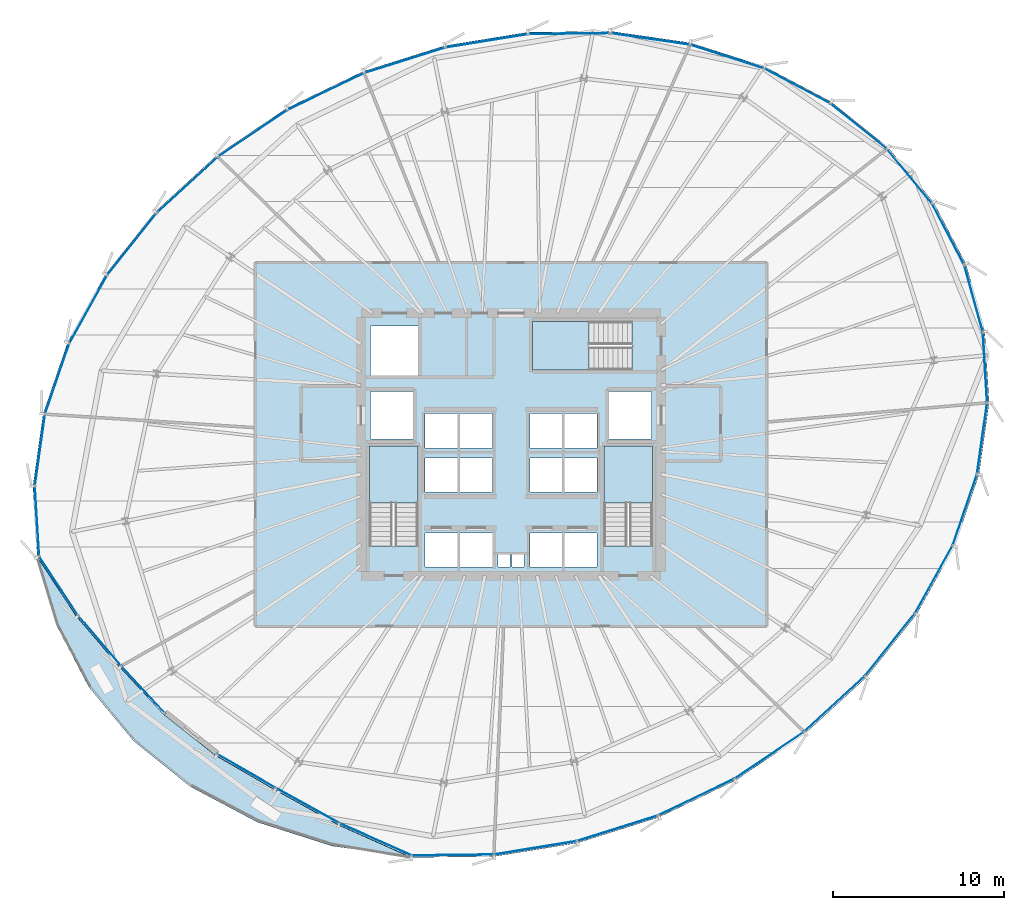
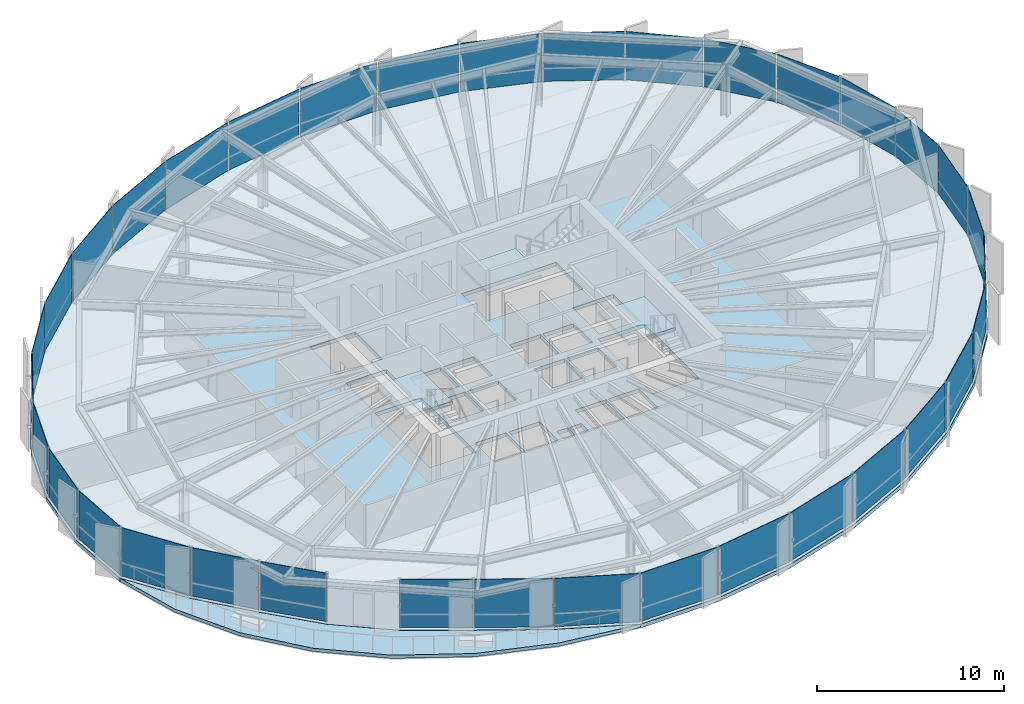
# One storey, part 28 of 35: 35 plates, 5 slabs, 10 elements without a shape of their own.
"""IFC4 building model written with IfcOpenShell, lengths in metres."""

from ifc_helpers import new_model, si_unit, direction, frame, origin, origin_2d, place, context, subcontext, project, spatial, polyline, rectangle, outline, extrude, source, transform, mapped, material, layer, layer_set, type_object, element, aggregate, save


model = new_model("IFC4")

# Units and contexts
model_context = context("Model", 3, precision=1e-05, world=origin(), true_north=direction((0.0, 1.0)))
body_context = subcontext(model_context, "Body", "Model", "MODEL_VIEW")
ifc_project = project(units=[si_unit("LENGTHUNIT", "METRE"), si_unit("AREAUNIT", "SQUARE_METRE"), si_unit("VOLUMEUNIT", "CUBIC_METRE"), si_unit("PLANEANGLEUNIT", "RADIAN"), si_unit("MASSUNIT", "GRAM", prefix="KILO"), si_unit("THERMODYNAMICTEMPERATUREUNIT", "KELVIN")], contexts=[model_context])

# Site, building, storey
site_placement = place(None, origin())
site = spatial("IfcSite", under=ifc_project, at=site_placement, CompositionType="ELEMENT")
building_placement = place(site_placement, origin())
building = spatial("IfcBuilding", under=site, at=building_placement, Name="Kethvar Cultural Tower", CompositionType="ELEMENT")
storey_placement = place(building_placement, frame((0.0, 0.0, 121.60009765625)))
storey = spatial("IfcBuildingStorey", under=building, at=storey_placement, Name="L30", CompositionType="ELEMENT", Elevation=121.60009765625)

# Stair, slab
ifc_material_1 = material(Name="Concrete C40/50", Category="concrete")
stair_type = type_object("IfcStairType", Name="ST-DOGLEG-135", PredefinedType="HALF_TURN_STAIR", material=ifc_material_1)
stair_1_placement = place(storey_placement, origin())
stair_1 = element("IfcStair", 1, at=stair_1_placement, inside=storey, type_object=stair_type, Name="L30 Core Exit Stair 1", PredefinedType="HALF_TURN_STAIR")
ifc_layer_1 = layer(ifc_material_1, 0.199951171875, Name="Concrete C40/50", Category="concrete")
ifc_layer_set_1 = layer_set([ifc_layer_1], Name="Concrete C40/50 (200 mm)")
slab_type_1 = type_object("IfcSlabType", Name="SL-STAIR-LANDING-200", PredefinedType="LANDING", material=ifc_layer_set_1)
slab_1_placement = place(storey_placement, frame((0.0, 0.0, 1.599853515625)))
slab_1 = element("IfcSlab", 2, at=slab_1_placement, type_object=slab_type_1, Name="ST-01 landing 1", PredefinedType="LANDING", context=body_context, shape_type="SweptSolid", body=[
    extrude(outline(polyline([(41.35009765625, 24.3701171875), (41.35009765625, 27.699951171875), (38.489990234375, 27.699951171875), (38.489990234375, 24.3701171875), (41.35009765625, 24.3701171875)])), origin(), (0.0, 0.0, 1.0), 0.199951171875),
])
aggregate(stair_1, [slab_1])

stair_2_placement = place(storey_placement, origin())
stair_2 = element("IfcStair", 3, at=stair_2_placement, inside=storey, type_object=stair_type, Name="L30 Core Exit Stair 2", PredefinedType="HALF_TURN_STAIR")
slab_2_placement = place(storey_placement, frame((0.0, 0.0, 1.599853515625)))
slab_2 = element("IfcSlab", 4, at=slab_2_placement, type_object=slab_type_1, Name="ST-02 landing 1", PredefinedType="LANDING", context=body_context, shape_type="SweptSolid", body=[
    extrude(outline(polyline([(55.110107421875, 24.3701171875), (55.110107421875, 27.699951171875), (52.25, 27.699951171875), (52.25, 24.3701171875), (55.110107421875, 24.3701171875)])), origin(), (0.0, 0.0, 1.0), 0.199951171875),
])
aggregate(stair_2, [slab_2])

stair_3_placement = place(storey_placement, origin())
stair_3 = element("IfcStair", 5, at=stair_3_placement, inside=storey, type_object=stair_type, Name="L30 Core Exit Stair 3", PredefinedType="HALF_TURN_STAIR")
slab_3_placement = place(storey_placement, frame((0.0, 0.0, 1.599853515625)))
slab_3 = element("IfcSlab", 6, at=slab_3_placement, type_object=slab_type_1, Name="ST-03 landing 1", PredefinedType="LANDING", context=body_context, shape_type="SweptSolid", body=[
    extrude(outline(polyline([(51.3798828125, 35.010009765625), (48.050048828125, 35.010009765625), (48.050048828125, 32.14990234375), (51.3798828125, 32.14990234375), (51.3798828125, 35.010009765625)])), origin(), (0.0, 0.0, 1.0), 0.199951171875),
])
aggregate(stair_3, [slab_3])

# Slabs
ifc_layer_2 = layer(ifc_material_1, 0.215087890625, Name="Concrete C40/50", Category="concrete")
ifc_layer_set_2 = layer_set([ifc_layer_2], Name="Concrete C40/50 (215 mm)")
slab_type_2 = type_object("IfcSlabType", Name="SL-TER-EXT", PredefinedType="FLOOR", material=ifc_layer_set_2)
slab_4_placement = place(storey_placement, frame((0.0, 0.0, -0.215087890625)))
element("IfcSlab", 7, at=slab_4_placement, inside=storey, type_object=slab_type_2, Name="L30 Spiralling Sky Terrace Deck", PredefinedType="FLOOR", context=body_context, shape_type="SweptSolid", body=[
    extrude(outline(polyline([(19.01171875, 21.192626953125), (20.110595703125, 17.23291015625), (22.020263671875, 13.593994140625), (24.682861328125, 10.386962890625), (28.017578125, 7.708984375), (31.9228515625, 5.641357421875), (36.2802734375, 4.2470703125), (40.957275390625, 3.568359375), (36.688232421875, 5.473388671875), (32.951171875, 7.543212890625), (29.477294921875, 9.550537109375), (26.440185546875, 11.947265625), (23.86181640625, 14.72705078125), (21.312255859375, 17.708740234375), (19.01171875, 21.192626953125)])), origin(), (0.0, 0.0, 1.0), 0.215087890625),
])
ifc_layer_3 = layer(ifc_material_1, 0.25, Name="Concrete C40/50", Category="concrete")
ifc_layer_set_3 = layer_set([ifc_layer_3], Name="Concrete C40/50 (250 mm)")
slab_type_3 = type_object("IfcSlabType", Name="SL-TOW-250", PredefinedType="FLOOR", material=ifc_layer_set_3)
slab_5_placement = place(storey_placement, frame((0.0, 0.0, -0.25)))
element("IfcSlab", 8, at=slab_5_placement, inside=storey, type_object=slab_type_3, Name="L30 Structural Floor Slab", PredefinedType="FLOOR", context=body_context, shape_type="SweptSolid", body=[
    extrude(outline(polyline([(73.489501953125, 38.3671875), (71.57958984375, 42.005859375), (68.9169921875, 45.212890625), (65.58251953125, 47.89111328125), (61.677001953125, 49.958740234375), (57.319580078125, 51.35302734375), (52.642578125, 52.031494140625), (47.7880859375, 51.97412109375), (42.903564453125, 51.181884765625), (38.137451171875, 49.679443359375), (33.634521484375, 47.511962890625), (29.531494140625, 44.74560546875), (25.953125, 41.464599609375), (23.00830078125, 37.768310546875), (20.786376953125, 33.768798828125), (19.35498046875, 29.58837890625), (18.75732421875, 25.353271484375), (19.01171875, 21.192626953125), (21.312255859375, 17.708740234375), (23.86181640625, 14.72705078125), (26.440185546875, 11.947265625), (29.477294921875, 9.550537109375), (32.951171875, 7.543212890625), (36.688232421875, 5.473388671875), (40.957275390625, 3.568359375), (45.81201171875, 3.6259765625), (50.696533203125, 4.418212890625), (55.462646484375, 5.920654296875), (59.965576171875, 8.087890625), (64.068603515625, 10.854248046875), (67.646728515625, 14.135498046875), (70.591552734375, 17.831787109375), (72.813720703125, 21.8310546875), (74.2451171875, 26.01171875), (74.8427734375, 30.24658203125), (74.58837890625, 34.4072265625), (73.489501953125, 38.3671875)]), holes=[polyline([(38.489990234375, 21.85009765625), (38.489990234375, 27.699951171875), (41.35009765625, 27.699951171875), (41.35009765625, 21.85009765625), (38.489990234375, 21.85009765625)]), polyline([(52.25, 21.85009765625), (52.25, 27.699951171875), (55.110107421875, 27.699951171875), (55.110107421875, 21.85009765625), (52.25, 21.85009765625)]), polyline([(53.89990234375, 32.14990234375), (48.050048828125, 32.14990234375), (48.050048828125, 35.010009765625), (53.89990234375, 35.010009765625), (53.89990234375, 32.14990234375)]), polyline([(41.75, 22.60009765625), (43.64990234375, 22.60009765625), (43.64990234375, 20.60009765625), (41.75, 20.60009765625), (41.75, 22.60009765625)]), polyline([(43.800048828125, 22.60009765625), (45.699951171875, 22.60009765625), (45.699951171875, 20.60009765625), (43.800048828125, 20.60009765625), (43.800048828125, 22.60009765625)]), polyline([(47.89990234375, 22.60009765625), (49.800048828125, 22.60009765625), (49.800048828125, 20.60009765625), (47.89990234375, 20.60009765625), (47.89990234375, 22.60009765625)]), polyline([(49.949951171875, 22.60009765625), (51.85009765625, 22.60009765625), (51.85009765625, 20.60009765625), (49.949951171875, 20.60009765625), (49.949951171875, 22.60009765625)]), polyline([(41.75, 27.0), (43.64990234375, 27.0), (43.64990234375, 25.0), (41.75, 25.0), (41.75, 27.0)]), polyline([(43.800048828125, 27.0), (45.699951171875, 27.0), (45.699951171875, 25.0), (43.800048828125, 25.0), (43.800048828125, 27.0)]), polyline([(47.89990234375, 27.0), (49.800048828125, 27.0), (49.800048828125, 25.0), (47.89990234375, 25.0), (47.89990234375, 27.0)]), polyline([(49.949951171875, 27.0), (51.85009765625, 27.0), (51.85009765625, 25.0), (49.949951171875, 25.0), (49.949951171875, 27.0)]), polyline([(41.75, 29.60009765625), (43.64990234375, 29.60009765625), (43.64990234375, 27.60009765625), (41.75, 27.60009765625), (41.75, 29.60009765625)]), polyline([(43.800048828125, 29.60009765625), (45.699951171875, 29.60009765625), (45.699951171875, 27.60009765625), (43.800048828125, 27.60009765625), (43.800048828125, 29.60009765625)]), polyline([(47.89990234375, 29.60009765625), (49.800048828125, 29.60009765625), (49.800048828125, 27.60009765625), (47.89990234375, 27.60009765625), (47.89990234375, 29.60009765625)]), polyline([(49.949951171875, 29.60009765625), (51.85009765625, 29.60009765625), (51.85009765625, 27.60009765625), (49.949951171875, 27.60009765625), (49.949951171875, 29.60009765625)]), polyline([(38.550048828125, 30.89990234375), (41.050048828125, 30.89990234375), (41.050048828125, 28.10009765625), (38.550048828125, 28.10009765625), (38.550048828125, 30.89990234375)]), polyline([(52.550048828125, 30.89990234375), (55.050048828125, 30.89990234375), (55.050048828125, 28.10009765625), (52.550048828125, 28.10009765625), (52.550048828125, 30.89990234375)]), polyline([(38.550048828125, 34.75), (41.35009765625, 34.75), (41.35009765625, 31.85009765625), (38.550048828125, 31.85009765625), (38.550048828125, 34.75)]), polyline([(46.050048828125, 21.35009765625), (46.75, 21.35009765625), (46.75, 20.60009765625), (46.050048828125, 20.60009765625), (46.050048828125, 21.35009765625)]), polyline([(46.85009765625, 21.35009765625), (47.550048828125, 21.35009765625), (47.550048828125, 20.60009765625), (46.85009765625, 20.60009765625), (46.85009765625, 21.35009765625)])]), origin(), (0.0, 0.0, 1.0), 0.25),
])

# Curtain wall, plates
ifc_material_2 = material(Name="Aluminium 6063-T6", Category="aluminium")
ifc_layer_4 = layer(ifc_material_2, 0.179931640625, Name="Aluminium 6063-T6", Category="aluminium")
ifc_layer_set_4 = layer_set([ifc_layer_4], Name="Aluminium 6063-T6 (180 mm)")
curtain_wall_type = type_object("IfcCurtainWallType", Name="CW-SYS-03-Z2", PredefinedType="NOTDEFINED", material=ifc_layer_set_4)
curtain_wall_1_placement = place(storey_placement, origin())
curtain_wall_1 = element("IfcCurtainWall", 9, at=curtain_wall_1_placement, inside=storey, type_object=curtain_wall_type, Name="L30 Curtain Wall Run 01", PredefinedType="NOTDEFINED")
ifc_material_3 = material(Name="Insulated Low-E Solar Glass", Category="glass")
ifc_layer_5 = layer(ifc_material_3, 0.031982421875, Name="Insulated Low-E Solar Glass", Category="glass")
ifc_layer_set_5 = layer_set([ifc_layer_5], Name="Insulated Low-E Solar Glass (32 mm)")
plate_type = type_object("IfcPlateType", Name="CW-SYS-03-Z2-PNL", PredefinedType="CURTAIN_PANEL", material=ifc_layer_set_5)
shared_shape_1 = source(origin(), body_context, "Body", "SweptSolid", [
    extrude(rectangle(XDim=4.023193359375, YDim=0.031982421875, at=origin_2d()), origin(), (0.0, 0.0, 1.0), 3.14990234375),
])
plate_1_placement = place(storey_placement, frame((72.4326171875, 40.133056640625, 0.099853515625), z_axis=(0.0, 0.0, 1.0), x_axis=(-0.464718416922, 0.885458521317, 0.0)))
plate_1 = element("IfcPlate", 10, at=plate_1_placement, type_object=plate_type, Name="CW-L30-R01 Vision Glazing Panel 1", PredefinedType="CURTAIN_PANEL", context=body_context, shape_type="MappedRepresentation", body=[
    mapped(shared_shape_1, transform((0.0, 0.0, 0.0), scale=1.0)),
])
shared_shape_2 = source(origin(), body_context, "Body", "SweptSolid", [
    extrude(rectangle(XDim=4.081787109375, YDim=0.031982421875, at=origin_2d()), origin(), (0.0, 0.0, 1.0), 3.14990234375),
])
plate_2_placement = place(storey_placement, frame((70.159912109375, 43.535888671875, 0.099853515625), z_axis=(0.0, 0.0, 1.0), x_axis=(-0.638767817516, 0.769399555047, 0.0)))
plate_2 = element("IfcPlate", 11, at=plate_2_placement, type_object=plate_type, Name="CW-L30-R01 Vision Glazing Panel 2", PredefinedType="CURTAIN_PANEL", context=body_context, shape_type="MappedRepresentation", body=[
    mapped(shared_shape_2, transform((0.0, 0.0, 0.0), scale=1.0)),
])
shared_shape_3 = source(origin(), body_context, "Body", "SweptSolid", [
    extrude(rectangle(XDim=4.1904296875, YDim=0.031982421875, at=origin_2d()), origin(), (0.0, 0.0, 1.0), 3.14990234375),
])
plate_3_placement = place(storey_placement, frame((67.177734375, 46.46240234375, 0.099853515625), z_axis=(0.0, 0.0, 1.0), x_axis=(-0.779687804952, 0.626168449228, 0.0)))
plate_3 = element("IfcPlate", 12, at=plate_3_placement, type_object=plate_type, Name="CW-L30-R01 Vision Glazing Panel 3", PredefinedType="CURTAIN_PANEL", context=body_context, shape_type="MappedRepresentation", body=[
    mapped(shared_shape_3, transform((0.0, 0.0, 0.0), scale=1.0)),
])
shared_shape_4 = source(origin(), body_context, "Body", "SweptSolid", [
    extrude(rectangle(XDim=4.33251953125, YDim=0.031982421875, at=origin_2d()), origin(), (0.0, 0.0, 1.0), 3.14990234375),
])
plate_4_placement = place(storey_placement, frame((63.575927734375, 48.8232421875, 0.099853515625), z_axis=(0.0, 0.0, 1.0), x_axis=(-0.883781963382, 0.467898964735, 0.0)))
plate_4 = element("IfcPlate", 13, at=plate_4_placement, type_object=plate_type, Name="CW-L30-R01 Vision Glazing Panel 4", PredefinedType="CURTAIN_PANEL", context=body_context, shape_type="MappedRepresentation", body=[
    mapped(shared_shape_4, transform((0.0, 0.0, 0.0), scale=1.0)),
])

# Curtain wall, plate
curtain_wall_2_placement = place(storey_placement, origin())
curtain_wall_2 = element("IfcCurtainWall", 14, at=curtain_wall_2_placement, inside=storey, type_object=curtain_wall_type, Name="L30 Curtain Wall Run 03", PredefinedType="NOTDEFINED")
plate_5_placement = place(storey_placement, frame((20.179443359375, 31.641357421875, 0.099853515625), z_axis=(0.0, 0.0, 1.0), x_axis=(-0.32395044261, -0.9460740514, 0.0)))
plate_5 = element("IfcPlate", 15, at=plate_5_placement, type_object=plate_type, Name="CW-L30-R03 Vision Glazing Panel 3", PredefinedType="CURTAIN_PANEL", context=body_context, shape_type="MappedRepresentation", body=[
    mapped(shared_shape_4, transform((0.0, 0.0, 0.0), scale=1.0)),
])

curtain_wall_3_placement = place(storey_placement, origin())
curtain_wall_3 = element("IfcCurtainWall", 16, at=curtain_wall_3_placement, inside=storey, type_object=curtain_wall_type, Name="L30 Curtain Wall Run 06", PredefinedType="NOTDEFINED")
plate_6_placement = place(storey_placement, frame((73.42041015625, 23.95849609375, 0.099853515625), z_axis=(0.0, 0.0, 1.0), x_axis=(0.32395044261, 0.9460740514, 0.0)))
plate_6 = element("IfcPlate", 17, at=plate_6_placement, type_object=plate_type, Name="CW-L30-R06 Vision Glazing Panel 6", PredefinedType="CURTAIN_PANEL", context=body_context, shape_type="MappedRepresentation", body=[
    mapped(shared_shape_4, transform((0.0, 0.0, 0.0), scale=1.0)),
])

# Plate
shared_shape_5 = source(origin(), body_context, "Body", "SweptSolid", [
    extrude(rectangle(XDim=4.488525390625, YDim=0.031982421875, at=origin_2d()), origin(), (0.0, 0.0, 1.0), 3.14990234375),
])
plate_7_placement = place(storey_placement, frame((59.46337890625, 50.54638671875, 0.099853515625), z_axis=(0.0, 0.0, 1.0), x_axis=(-0.952427719736, 0.304764562702, 0.0)))
plate_7 = element("IfcPlate", 18, at=plate_7_placement, type_object=plate_type, Name="CW-L30-R01 Vision Glazing Panel 5", PredefinedType="CURTAIN_PANEL", context=body_context, shape_type="MappedRepresentation", body=[
    mapped(shared_shape_5, transform((0.0, 0.0, 0.0), scale=1.0)),
])

shared_shape_6 = source(origin(), body_context, "Body", "SweptSolid", [
    extrude(rectangle(XDim=4.6396484375, YDim=0.031982421875, at=origin_2d()), origin(), (0.0, 0.0, 1.0), 3.14990234375),
])
plate_8_placement = place(storey_placement, frame((54.964599609375, 51.57861328125, 0.099853515625), z_axis=(0.0, 0.0, 1.0), x_axis=(-0.989636354881, 0.143596257255, 0.0)))
plate_8 = element("IfcPlate", 19, at=plate_8_placement, type_object=plate_type, Name="CW-L30-R01 Vision Glazing Panel 6", PredefinedType="CURTAIN_PANEL", context=body_context, shape_type="MappedRepresentation", body=[
    mapped(shared_shape_6, transform((0.0, 0.0, 0.0), scale=1.0)),
])

aggregate(curtain_wall_1, [plate_1, plate_2, plate_3, plate_4, plate_7, plate_8])

plate_9_placement = place(storey_placement, frame((24.57080078125, 39.544677734375, 0.099853515625), z_axis=(0.0, 0.0, 1.0), x_axis=(-0.623115452938, -0.78212986921, 0.0)))
plate_9 = element("IfcPlate", 20, at=plate_9_placement, type_object=plate_type, Name="CW-L30-R03 Vision Glazing Panel 1", PredefinedType="CURTAIN_PANEL", context=body_context, shape_type="MappedRepresentation", body=[
    mapped(shared_shape_6, transform((0.0, 0.0, 0.0), scale=1.0)),
])

plate_10_placement = place(storey_placement, frame((69.029296875, 16.055419921875, 0.099853515625), z_axis=(0.0, 0.0, 1.0), x_axis=(0.623115452938, 0.78212986921, 0.0)))
plate_10 = element("IfcPlate", 21, at=plate_10_placement, type_object=plate_type, Name="CW-L30-R06 Vision Glazing Panel 4", PredefinedType="CURTAIN_PANEL", context=body_context, shape_type="MappedRepresentation", body=[
    mapped(shared_shape_6, transform((0.0, 0.0, 0.0), scale=1.0)),
])

# Curtain wall, plates
curtain_wall_4_placement = place(storey_placement, origin())
curtain_wall_4 = element("IfcCurtainWall", 22, at=curtain_wall_4_placement, inside=storey, type_object=curtain_wall_type, Name="L30 Curtain Wall Run 02", PredefinedType="NOTDEFINED")
shared_shape_7 = source(origin(), body_context, "Body", "SweptSolid", [
    extrude(rectangle(XDim=4.7685546875, YDim=0.031982421875, at=origin_2d()), origin(), (0.0, 0.0, 1.0), 3.14990234375),
])
plate_11_placement = place(storey_placement, frame((50.216796875, 51.8876953125, 0.099853515625), z_axis=(0.0, 0.0, 1.0), x_axis=(-0.999929573279, -0.011867960299, 0.0)))
plate_11 = element("IfcPlate", 23, at=plate_11_placement, type_object=plate_type, Name="CW-L30-R02 Vision Glazing Panel 1", PredefinedType="CURTAIN_PANEL", context=body_context, shape_type="MappedRepresentation", body=[
    mapped(shared_shape_7, transform((0.0, 0.0, 0.0), scale=1.0)),
])
plate_12_placement = place(storey_placement, frame((27.820068359375, 43.020263671875, 0.099853515625), z_axis=(0.0, 0.0, 1.0), x_axis=(-0.73702967055, -0.675860388489, 0.0)))
plate_12 = element("IfcPlate", 24, at=plate_12_placement, type_object=plate_type, Name="CW-L30-R02 Vision Glazing Panel 6", PredefinedType="CURTAIN_PANEL", context=body_context, shape_type="MappedRepresentation", body=[
    mapped(shared_shape_7, transform((0.0, 0.0, 0.0), scale=1.0)),
])

# Curtain wall, plate
curtain_wall_5_placement = place(storey_placement, origin())
curtain_wall_5 = element("IfcCurtainWall", 25, at=curtain_wall_5_placement, inside=storey, type_object=curtain_wall_type, Name="L30 Curtain Wall Run 05", PredefinedType="NOTDEFINED")
plate_13_placement = place(storey_placement, frame((43.38330078125, 3.712158203125, 0.099853515625), z_axis=(0.0, 0.0, 1.0), x_axis=(0.999929573279, 0.011867960299, 0.0)))
plate_13 = element("IfcPlate", 26, at=plate_13_placement, type_object=plate_type, Name="CW-L30-R05 Vision Glazing Panel 4", PredefinedType="CURTAIN_PANEL", context=body_context, shape_type="MappedRepresentation", body=[
    mapped(shared_shape_7, transform((0.0, 0.0, 0.0), scale=1.0)),
])

# Plate
plate_14_placement = place(storey_placement, frame((65.77978515625, 12.57958984375, 0.099853515625), z_axis=(0.0, 0.0, 1.0), x_axis=(0.73702967055, 0.675860388489, 0.0)))
plate_14 = element("IfcPlate", 27, at=plate_14_placement, type_object=plate_type, Name="CW-L30-R06 Vision Glazing Panel 3", PredefinedType="CURTAIN_PANEL", context=body_context, shape_type="MappedRepresentation", body=[
    mapped(shared_shape_7, transform((0.0, 0.0, 0.0), scale=1.0)),
])

shared_shape_8 = source(origin(), body_context, "Body", "SweptSolid", [
    extrude(rectangle(XDim=4.862060546875, YDim=0.031982421875, at=origin_2d()), origin(), (0.0, 0.0, 1.0), 3.14990234375),
])
plate_15_placement = place(storey_placement, frame((45.3642578125, 51.46435546875, 0.099853515625), z_axis=(0.0, 0.0, 1.0), x_axis=(-0.987105551896, -0.160070701302, 0.0)))
plate_15 = element("IfcPlate", 28, at=plate_15_placement, type_object=plate_type, Name="CW-L30-R02 Vision Glazing Panel 2", PredefinedType="CURTAIN_PANEL", context=body_context, shape_type="MappedRepresentation", body=[
    mapped(shared_shape_8, transform((0.0, 0.0, 0.0), scale=1.0)),
])

plate_16_placement = place(storey_placement, frame((31.647216796875, 46.033447265625, 0.099853515625), z_axis=(0.0, 0.0, 1.0), x_axis=(-0.829154671459, -0.559019257984, 0.0)))
plate_16 = element("IfcPlate", 29, at=plate_16_placement, type_object=plate_type, Name="CW-L30-R02 Vision Glazing Panel 5", PredefinedType="CURTAIN_PANEL", context=body_context, shape_type="MappedRepresentation", body=[
    mapped(shared_shape_8, transform((0.0, 0.0, 0.0), scale=1.0)),
])

plate_17_placement = place(storey_placement, frame((48.235595703125, 4.135498046875, 0.099853515625), z_axis=(0.0, 0.0, 1.0), x_axis=(0.987105551896, 0.160070701302, 0.0)))
plate_17 = element("IfcPlate", 30, at=plate_17_placement, type_object=plate_type, Name="CW-L30-R05 Vision Glazing Panel 5", PredefinedType="CURTAIN_PANEL", context=body_context, shape_type="MappedRepresentation", body=[
    mapped(shared_shape_8, transform((0.0, 0.0, 0.0), scale=1.0)),
])

plate_18_placement = place(storey_placement, frame((61.952880859375, 9.56640625, 0.099853515625), z_axis=(0.0, 0.0, 1.0), x_axis=(0.829154671459, 0.559019257984, 0.0)))
plate_18 = element("IfcPlate", 31, at=plate_18_placement, type_object=plate_type, Name="CW-L30-R06 Vision Glazing Panel 2", PredefinedType="CURTAIN_PANEL", context=body_context, shape_type="MappedRepresentation", body=[
    mapped(shared_shape_8, transform((0.0, 0.0, 0.0), scale=1.0)),
])

shared_shape_9 = source(origin(), body_context, "Body", "SweptSolid", [
    extrude(rectangle(XDim=4.910888671875, YDim=0.031982421875, at=origin_2d()), origin(), (0.0, 0.0, 1.0), 3.14990234375),
])
plate_19_placement = place(storey_placement, frame((40.55517578125, 50.32080078125, 0.099853515625), z_axis=(0.0, 0.0, 1.0), x_axis=(-0.95373269436, -0.300655862589, 0.0)))
plate_19 = element("IfcPlate", 32, at=plate_19_placement, type_object=plate_type, Name="CW-L30-R02 Vision Glazing Panel 3", PredefinedType="CURTAIN_PANEL", context=body_context, shape_type="MappedRepresentation", body=[
    mapped(shared_shape_9, transform((0.0, 0.0, 0.0), scale=1.0)),
])

plate_20_placement = place(storey_placement, frame((35.935791015625, 48.4921875, 0.099853515625), z_axis=(0.0, 0.0, 1.0), x_axis=(-0.90105431375, -0.433706264276, 0.0)))
plate_20 = element("IfcPlate", 33, at=plate_20_placement, type_object=plate_type, Name="CW-L30-R02 Vision Glazing Panel 4", PredefinedType="CURTAIN_PANEL", context=body_context, shape_type="MappedRepresentation", body=[
    mapped(shared_shape_9, transform((0.0, 0.0, 0.0), scale=1.0)),
])

aggregate(curtain_wall_4, [plate_11, plate_15, plate_19, plate_20, plate_16, plate_12])

plate_21_placement = place(storey_placement, frame((53.044921875, 5.279052734375, 0.099853515625), z_axis=(0.0, 0.0, 1.0), x_axis=(0.95373269436, 0.300655862589, 0.0)))
plate_21 = element("IfcPlate", 34, at=plate_21_placement, type_object=plate_type, Name="CW-L30-R05 Vision Glazing Panel 6", PredefinedType="CURTAIN_PANEL", context=body_context, shape_type="MappedRepresentation", body=[
    mapped(shared_shape_9, transform((0.0, 0.0, 0.0), scale=1.0)),
])

plate_22_placement = place(storey_placement, frame((57.664306640625, 7.10791015625, 0.099853515625), z_axis=(0.0, 0.0, 1.0), x_axis=(0.90105431375, 0.433706264276, 0.0)))
plate_22 = element("IfcPlate", 35, at=plate_22_placement, type_object=plate_type, Name="CW-L30-R06 Vision Glazing Panel 1", PredefinedType="CURTAIN_PANEL", context=body_context, shape_type="MappedRepresentation", body=[
    mapped(shared_shape_9, transform((0.0, 0.0, 0.0), scale=1.0)),
])

shared_shape_10 = source(origin(), body_context, "Body", "SweptSolid", [
    extrude(rectangle(XDim=4.48876953125, YDim=0.031982421875, at=origin_2d()), origin(), (0.0, 0.0, 1.0), 3.14990234375),
])
plate_23_placement = place(storey_placement, frame((21.997802734375, 35.712646484375, 0.099853515625), z_axis=(0.0, 0.0, 1.0), x_axis=(-0.485664228187, -0.874145444111, 0.0)))
plate_23 = element("IfcPlate", 36, at=plate_23_placement, type_object=plate_type, Name="CW-L30-R03 Vision Glazing Panel 2", PredefinedType="CURTAIN_PANEL", context=body_context, shape_type="MappedRepresentation", body=[
    mapped(shared_shape_10, transform((0.0, 0.0, 0.0), scale=1.0)),
])

plate_24_placement = place(storey_placement, frame((71.60205078125, 19.88720703125, 0.099853515625), z_axis=(0.0, 0.0, 1.0), x_axis=(0.485664228187, 0.874145444111, 0.0)))
plate_24 = element("IfcPlate", 37, at=plate_24_placement, type_object=plate_type, Name="CW-L30-R06 Vision Glazing Panel 5", PredefinedType="CURTAIN_PANEL", context=body_context, shape_type="MappedRepresentation", body=[
    mapped(shared_shape_10, transform((0.0, 0.0, 0.0), scale=1.0)),
])

aggregate(curtain_wall_3, [plate_22, plate_18, plate_14, plate_10, plate_24, plate_6])

shared_shape_11 = source(origin(), body_context, "Body", "SweptSolid", [
    extrude(rectangle(XDim=4.190673828125, YDim=0.031982421875, at=origin_2d()), origin(), (0.0, 0.0, 1.0), 3.14990234375),
])
plate_25_placement = place(storey_placement, frame((19.169921875, 27.45458984375, 0.099853515625), z_axis=(0.0, 0.0, 1.0), x_axis=(-0.13972614925, -0.990190185376, 0.0)))
plate_25 = element("IfcPlate", 38, at=plate_25_placement, type_object=plate_type, Name="CW-L30-R03 Vision Glazing Panel 4", PredefinedType="CURTAIN_PANEL", context=body_context, shape_type="MappedRepresentation", body=[
    mapped(shared_shape_11, transform((0.0, 0.0, 0.0), scale=1.0)),
])

# Curtain wall, plate
curtain_wall_6_placement = place(storey_placement, origin())
curtain_wall_6 = element("IfcCurtainWall", 39, at=curtain_wall_6_placement, inside=storey, type_object=curtain_wall_type, Name="L30 Curtain Wall Run 07", PredefinedType="NOTDEFINED")
plate_26_placement = place(storey_placement, frame((74.429931640625, 28.145263671875, 0.099853515625), z_axis=(0.0, 0.0, 1.0), x_axis=(0.13972614925, 0.990190185376, 0.0)))
plate_26 = element("IfcPlate", 40, at=plate_26_placement, type_object=plate_type, Name="CW-L30-R07 Vision Glazing Panel 1", PredefinedType="CURTAIN_PANEL", context=body_context, shape_type="MappedRepresentation", body=[
    mapped(shared_shape_11, transform((0.0, 0.0, 0.0), scale=1.0)),
])

# Plate
shared_shape_12 = source(origin(), body_context, "Body", "SweptSolid", [
    extrude(rectangle(XDim=4.08203125, YDim=0.031982421875, at=origin_2d()), origin(), (0.0, 0.0, 1.0), 3.14990234375),
])
plate_27_placement = place(storey_placement, frame((18.999267578125, 23.280029296875, 0.099853515625), z_axis=(0.0, 0.0, 1.0), x_axis=(0.061031118787, -0.998135863768, 0.0)))
plate_27 = element("IfcPlate", 41, at=plate_27_placement, type_object=plate_type, Name="CW-L30-R03 Vision Glazing Panel 5", PredefinedType="CURTAIN_PANEL", context=body_context, shape_type="MappedRepresentation", body=[
    mapped(shared_shape_12, transform((0.0, 0.0, 0.0), scale=1.0)),
])

plate_28_placement = place(storey_placement, frame((74.600830078125, 32.320068359375, 0.099853515625), z_axis=(0.0, 0.0, 1.0), x_axis=(-0.061031118787, 0.998135863768, 0.0)))
plate_28 = element("IfcPlate", 42, at=plate_28_placement, type_object=plate_type, Name="CW-L30-R07 Vision Glazing Panel 2", PredefinedType="CURTAIN_PANEL", context=body_context, shape_type="MappedRepresentation", body=[
    mapped(shared_shape_12, transform((0.0, 0.0, 0.0), scale=1.0)),
])

shared_shape_13 = source(origin(), body_context, "Body", "SweptSolid", [
    extrude(rectangle(XDim=4.088623046875, YDim=0.031982421875, at=origin_2d()), origin(), (0.0, 0.0, 1.0), 3.14990234375),
])
plate_29_placement = place(storey_placement, frame((20.258056640625, 19.513916015625, 0.099853515625), z_axis=(0.0, 0.0, 1.0), x_axis=(0.551034311046, -0.834482587026, 0.0)))
plate_29 = element("IfcPlate", 43, at=plate_29_placement, type_object=plate_type, Name="CW-L30-R03 Vision Glazing Panel 6", PredefinedType="CURTAIN_PANEL", context=body_context, shape_type="MappedRepresentation", body=[
    mapped(shared_shape_13, transform((0.0, 0.0, 0.0), scale=1.0)),
])

aggregate(curtain_wall_2, [plate_9, plate_23, plate_5, plate_25, plate_27, plate_29])

# Curtain wall, plates
curtain_wall_7_placement = place(storey_placement, origin())
curtain_wall_7 = element("IfcCurtainWall", 44, at=curtain_wall_7_placement, inside=storey, type_object=curtain_wall_type, Name="L30 Curtain Wall Run 04", PredefinedType="NOTDEFINED")
shared_shape_14 = source(origin(), body_context, "Body", "SweptSolid", [
    extrude(rectangle(XDim=3.83642578125, YDim=0.031982421875, at=origin_2d()), origin(), (0.0, 0.0, 1.0), 3.14990234375),
])
plate_30_placement = place(storey_placement, frame((22.67431640625, 16.29248046875, 0.099853515625), z_axis=(0.0, 0.0, 1.0), x_axis=(0.649859372472, -0.760054469108, 0.0)))
plate_30 = element("IfcPlate", 45, at=plate_30_placement, type_object=plate_type, Name="CW-L30-R04 Vision Glazing Panel 1", PredefinedType="CURTAIN_PANEL", context=body_context, shape_type="MappedRepresentation", body=[
    mapped(shared_shape_14, transform((0.0, 0.0, 0.0), scale=1.0)),
])
shared_shape_15 = source(origin(), body_context, "Body", "SweptSolid", [
    extrude(rectangle(XDim=3.705078125, YDim=0.031982421875, at=origin_2d()), origin(), (0.0, 0.0, 1.0), 3.14990234375),
])
plate_31_placement = place(storey_placement, frame((25.2353515625, 13.415283203125, 0.099853515625), z_axis=(0.0, 0.0, 1.0), x_axis=(0.680068549814, -0.73314853035, 0.0)))
plate_31 = element("IfcPlate", 46, at=plate_31_placement, type_object=plate_type, Name="CW-L30-R04 Vision Glazing Panel 2", PredefinedType="CURTAIN_PANEL", context=body_context, shape_type="MappedRepresentation", body=[
    mapped(shared_shape_15, transform((0.0, 0.0, 0.0), scale=1.0)),
])
aggregate(curtain_wall_7, [plate_30, plate_31])

# Plate
shared_shape_16 = source(origin(), body_context, "Body", "SweptSolid", [
    extrude(rectangle(XDim=3.92578125, YDim=0.031982421875, at=origin_2d()), origin(), (0.0, 0.0, 1.0), 3.14990234375),
])
plate_32_placement = place(storey_placement, frame((31.271728515625, 8.646484375, 0.099853515625), z_axis=(0.0, 0.0, 1.0), x_axis=(0.865824621149, -0.500347604583, 0.0)))
plate_32 = element("IfcPlate", 47, at=plate_32_placement, type_object=plate_type, Name="CW-L30-R05 Vision Glazing Panel 1", PredefinedType="CURTAIN_PANEL", context=body_context, shape_type="MappedRepresentation", body=[
    mapped(shared_shape_16, transform((0.0, 0.0, 0.0), scale=1.0)),
])

shared_shape_17 = source(origin(), body_context, "Body", "SweptSolid", [
    extrude(rectangle(XDim=4.185546875, YDim=0.031982421875, at=origin_2d()), origin(), (0.0, 0.0, 1.0), 3.14990234375),
])
plate_33_placement = place(storey_placement, frame((34.87548828125, 6.60888671875, 0.099853515625), z_axis=(0.0, 0.0, 1.0), x_axis=(0.874805796191, -0.484473754657, 0.0)))
plate_33 = element("IfcPlate", 48, at=plate_33_placement, type_object=plate_type, Name="CW-L30-R05 Vision Glazing Panel 2", PredefinedType="CURTAIN_PANEL", context=body_context, shape_type="MappedRepresentation", body=[
    mapped(shared_shape_17, transform((0.0, 0.0, 0.0), scale=1.0)),
])

shared_shape_18 = source(origin(), body_context, "Body", "SweptSolid", [
    extrude(rectangle(XDim=4.58837890625, YDim=0.031982421875, at=origin_2d()), origin(), (0.0, 0.0, 1.0), 3.14990234375),
])
plate_34_placement = place(storey_placement, frame((38.86962890625, 4.6259765625, 0.099853515625), z_axis=(0.0, 0.0, 1.0), x_axis=(0.913197277821, -0.407517768669, 0.0)))
plate_34 = element("IfcPlate", 49, at=plate_34_placement, type_object=plate_type, Name="CW-L30-R05 Vision Glazing Panel 3", PredefinedType="CURTAIN_PANEL", context=body_context, shape_type="MappedRepresentation", body=[
    mapped(shared_shape_18, transform((0.0, 0.0, 0.0), scale=1.0)),
])

aggregate(curtain_wall_5, [plate_32, plate_33, plate_34, plate_13, plate_17, plate_21])

shared_shape_19 = source(origin(), body_context, "Body", "SweptSolid", [
    extrude(rectangle(XDim=4.02294921875, YDim=0.031982421875, at=origin_2d()), origin(), (0.0, 0.0, 1.0), 3.14990234375),
])
plate_35_placement = place(storey_placement, frame((73.927978515625, 36.3564453125, 0.099853515625), z_axis=(0.0, 0.0, 1.0), x_axis=(-0.267389739498, 0.963588463615, 0.0)))
plate_35 = element("IfcPlate", 50, at=plate_35_placement, type_object=plate_type, Name="CW-L30-R07 Vision Glazing Panel 3", PredefinedType="CURTAIN_PANEL", context=body_context, shape_type="MappedRepresentation", body=[
    mapped(shared_shape_19, transform((0.0, 0.0, 0.0), scale=1.0)),
])

aggregate(curtain_wall_6, [plate_26, plate_28, plate_35])

save(model, "model.ifc")
